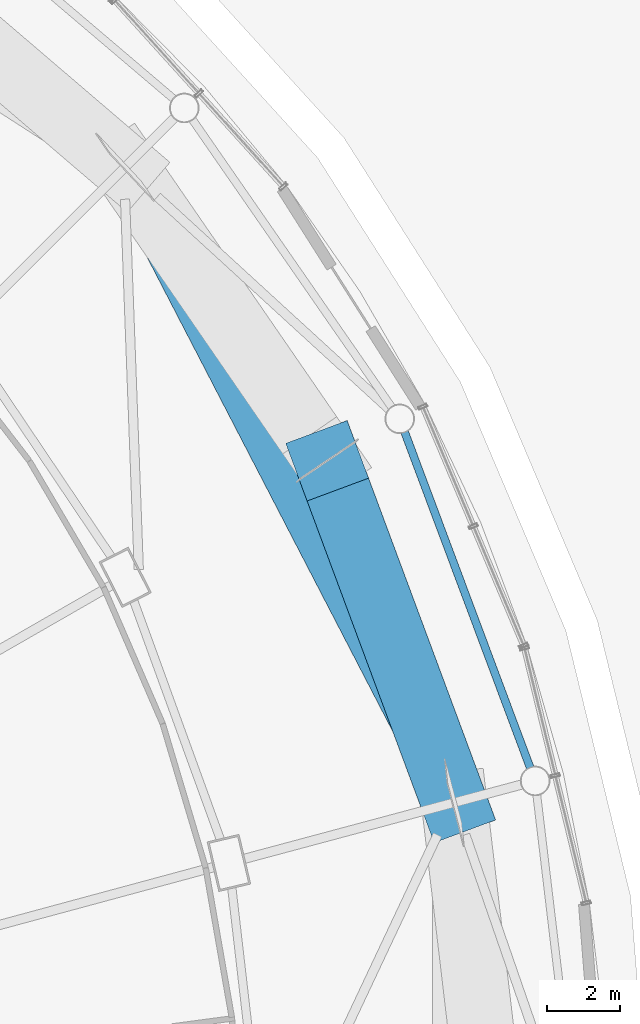
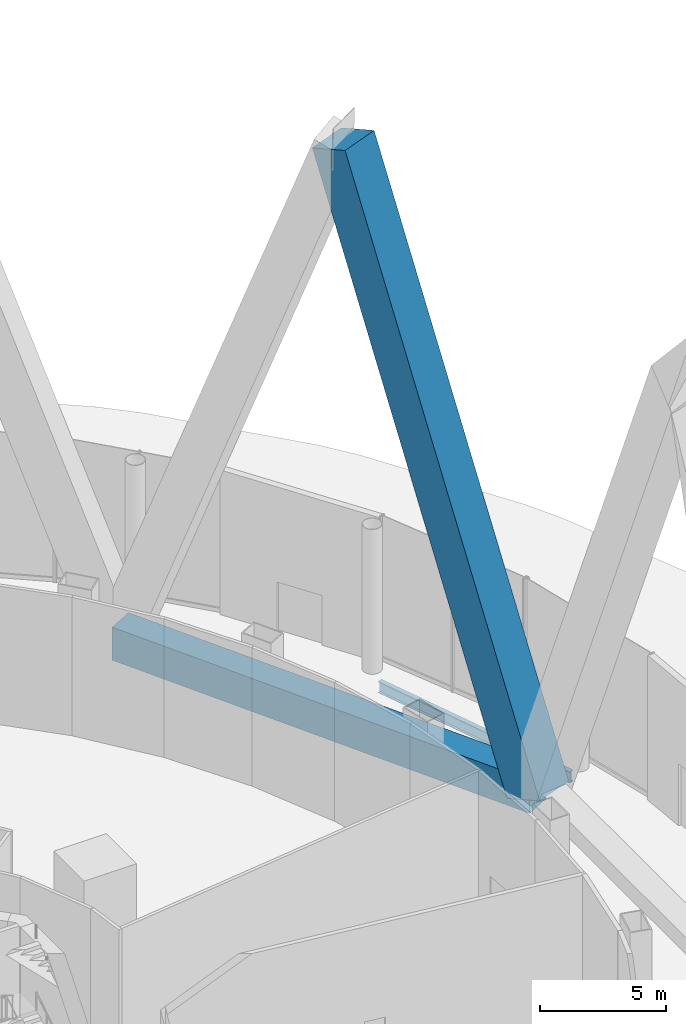
# One storey, part 39 of 67: 2 members, 1 beam.
"""IFC4 building model written with IfcOpenShell, lengths in metres."""

from ifc_helpers import new_model, si_unit, direction, frame, origin, origin_2d, place, context, subcontext, project, spatial, rectangle, i_section, extrude, material, material_profile, profile_set, type_object, element, save


model = new_model("IFC4")

# Units and contexts
model_context = context("Model", 3, precision=1e-05, world=origin(), true_north=direction((0.0, 1.0)))
body_context = subcontext(model_context, "Body", "Model", "MODEL_VIEW")
ifc_project = project(units=[si_unit("LENGTHUNIT", "METRE"), si_unit("AREAUNIT", "SQUARE_METRE"), si_unit("VOLUMEUNIT", "CUBIC_METRE"), si_unit("PLANEANGLEUNIT", "RADIAN"), si_unit("MASSUNIT", "GRAM", prefix="KILO")], contexts=[model_context])

# Site, building, storey
site_placement = place(None, origin())
site = spatial("IfcSite", under=ifc_project, at=site_placement, CompositionType="ELEMENT")
building_placement = place(site_placement, origin())
building = spatial("IfcBuilding", under=site, at=building_placement, Name="Nagisa Residences", CompositionType="ELEMENT")
storey_placement = place(building_placement, origin())
storey = spatial("IfcBuildingStorey", under=building, at=storey_placement, Name="L00", CompositionType="ELEMENT", Elevation=0.0)

# Beam
ifc_material_1 = material(Name="Steel ASTM A572 Gr 50", Category="steel")
ifc_material_profile_1 = material_profile(ifc_material_1, i_section(OverallWidth=0.214111328125, OverallDepth=0.549072265625, WebThickness=0.0146484375, FlangeThickness=0.023681640625, at=origin_2d()), Name="W530x138")
ifc_profile_set_1 = profile_set([ifc_material_profile_1], Name="Steel ASTM A572 Gr 50")
beam_type = type_object("IfcBeamType", Name="Atrium ring beam W530x138", PredefinedType="BEAM", material=ifc_profile_set_1)
beam_placement = place(storey_placement, frame((39.39697265625, 11.025390625, -0.674560546875), z_axis=(-0.350304540877, 0.936635857012, 0.0), x_axis=(-0.936635857012, -0.350304540877, 0.0)))
element("IfcBeam", 1, at=beam_placement, inside=storey, type_object=beam_type, Name="beam:L00:ab02", PredefinedType="BEAM", context=body_context, shape_type="SweptSolid", body=[
    extrude(i_section(OverallWidth=0.214111328125, OverallDepth=0.549072265625, WebThickness=0.0146484375, FlangeThickness=0.023681640625, at=origin_2d()), origin(), (0.0, 0.0, 1.0), 9.8359375),
])

# Members
ifc_material_2 = material(Name="Concrete C80", Category="concrete")
ifc_material_profile_2 = material_profile(ifc_material_2, rectangle(XDim=1.800048828125, YDim=1.800048828125, at=origin_2d()), Name="C80 1800x1800")
ifc_profile_set_2 = profile_set([ifc_material_profile_2], Name="Concrete C80")
member_type_1 = type_object("IfcMemberType", Name="Cage diagonal 1 C80 1800x1800", PredefinedType="BRACE", material=ifc_profile_set_2)
member_1_placement = place(storey_placement, frame((37.310791015625, 10.068115234375, 0.0), z_axis=(-0.121080878457, 0.325810237192, 0.937649780149), x_axis=(-0.937363610568, -0.348352496162, 0.0)))
element("IfcMember", 2, at=member_1_placement, inside=storey, type_object=member_type_1, Name="mem:L00:cg1d002", PredefinedType="BRACE", context=body_context, shape_type="SweptSolid", body=[
    extrude(rectangle(XDim=1.800048828125, YDim=1.800048828125, at=origin_2d()), origin(), (0.0, 0.0, 1.0), 28.79541015625),
])
ifc_material_3 = material(Name="Concrete C80", Category="concrete")
ifc_material_profile_3 = material_profile(ifc_material_3, rectangle(XDim=1.199951171875, YDim=1.60009765625, at=origin_2d()), Name="C80 1200x1600")
ifc_profile_set_3 = profile_set([ifc_material_profile_3], Name="Concrete C80")
member_type_2 = type_object("IfcMemberType", Name="Cage ring 1 C80 1200x1600", PredefinedType="CHORD", material=ifc_profile_set_3)
member_2_placement = place(storey_placement, frame((37.310791015625, 10.068115234375, 0.0), z_axis=(-0.459942644768, 0.887948626624, 0.0), x_axis=(-0.887948626624, -0.459942644768, 0.0)))
element("IfcMember", 3, at=member_2_placement, inside=storey, type_object=member_type_2, Name="beam:L00:cg1r001", PredefinedType="CHORD", context=body_context, shape_type="SweptSolid", body=[
    extrude(rectangle(XDim=1.199951171875, YDim=1.60009765625, at=origin_2d()), origin(), (0.0, 0.0, 1.0), 19.638671875),
])

save(model, "model.ifc")
